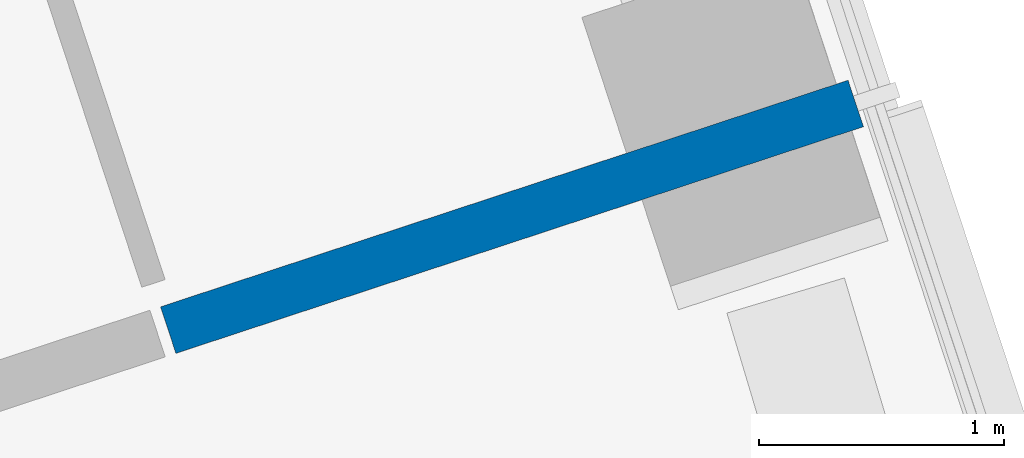
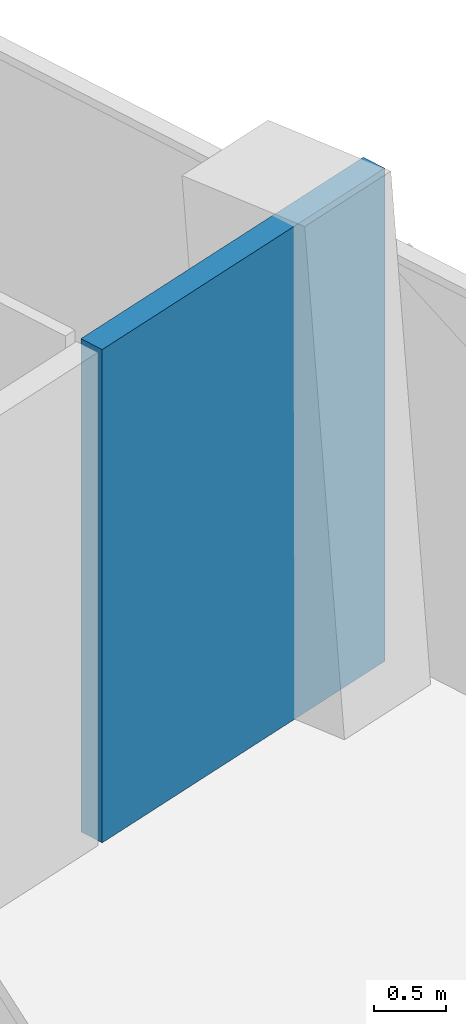
# One storey, part 18 of 21: 1 wall.
"""IFC4 building model written with IfcOpenShell, lengths in metres."""

from ifc_helpers import new_model, si_unit, direction, frame, frame_2d, origin, place, context, subcontext, project, spatial, rectangle, extrude, material, layer, layer_set, type_object, element, save


model = new_model("IFC4")

# Units and contexts
model_context = context("Model", 3, precision=1e-05, world=origin(), true_north=direction((0.0, 1.0)))
body_context = subcontext(model_context, "Body", "Model", "MODEL_VIEW")
ifc_project = project(units=[si_unit("LENGTHUNIT", "METRE"), si_unit("AREAUNIT", "SQUARE_METRE"), si_unit("VOLUMEUNIT", "CUBIC_METRE"), si_unit("PLANEANGLEUNIT", "RADIAN"), si_unit("MASSUNIT", "GRAM", prefix="KILO")], contexts=[model_context])

# Site, building, storey
site_placement = place(None, origin())
site = spatial("IfcSite", under=ifc_project, at=site_placement, CompositionType="ELEMENT")
building_placement = place(site_placement, origin())
building = spatial("IfcBuilding", under=site, at=building_placement, Name="Verdalira Terraces Hotel", CompositionType="ELEMENT")
storey_placement = place(building_placement, frame((0.0, 0.0, 107.0)))
storey = spatial("IfcBuildingStorey", under=building, at=storey_placement, Name="L25", CompositionType="ELEMENT", Elevation=107.0)

# Wall
ifc_material = material(Name="Fire-rated gypsum board wall")
ifc_layer = layer(ifc_material, 0.199951171875)
ifc_layer_set = layer_set([ifc_layer], Name="Demising wall 200 mm")
wall_type = type_object("IfcWallType", Name="Demising wall 200 mm", PredefinedType="SOLIDWALL", material=ifc_layer_set)
wall_placement = place(storey_placement, frame((20.093262, 6.621826, 0.0), z_axis=(0.0, 0.0, 1.0), x_axis=(0.949744749, 0.313025416, 0.0)))
element("IfcWall", 1, at=wall_placement, inside=storey, type_object=wall_type, Name="Demising wall", PredefinedType="SOLIDWALL", context=body_context, shape_type="SweptSolid", body=[
    extrude(rectangle(XDim=2.952148, YDim=0.199951, at=frame_2d((1.476074, 0.0))), origin(), (0.0, 0.0, 1.0), 4.189941),
])

save(model, "model.ifc")
